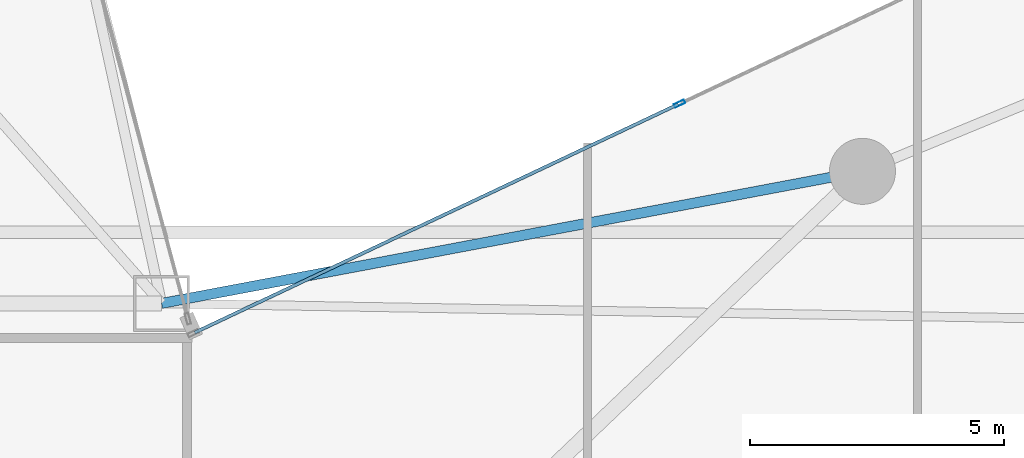
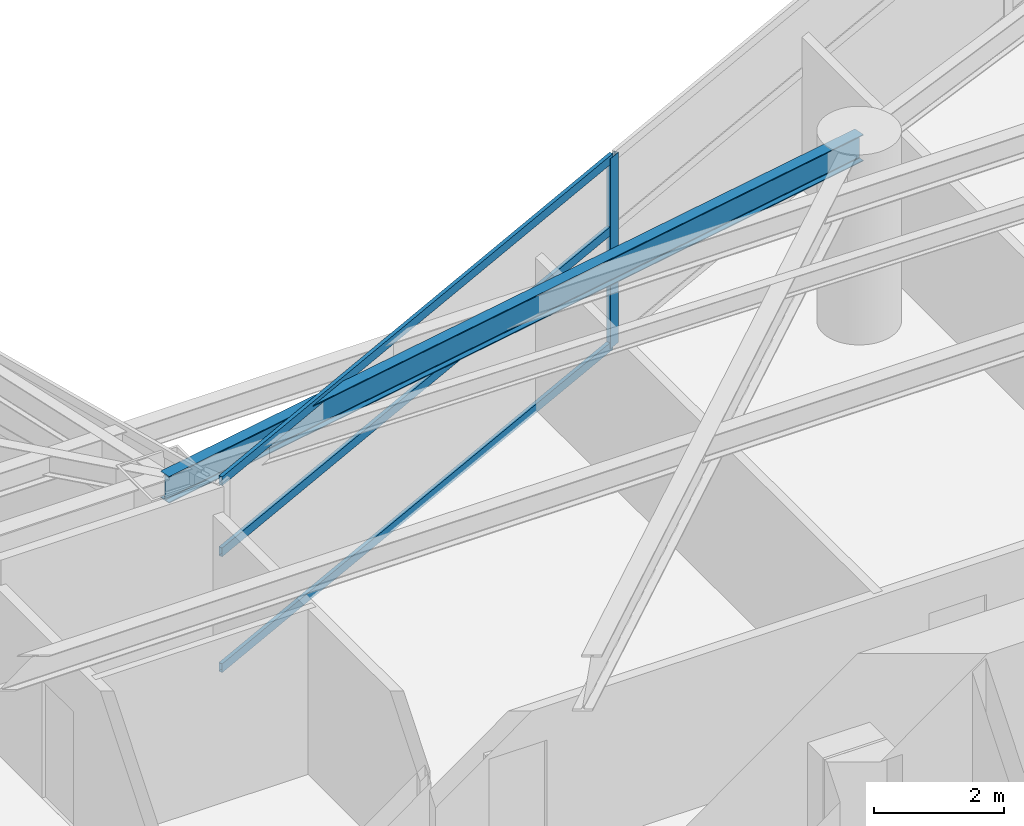
# One storey, part 11 of 29: 4 members, 1 beam, 1 element without a shape of its own.
"""IFC4 building model written with IfcOpenShell, lengths in metres."""

from ifc_helpers import new_model, si_unit, direction, frame, origin, origin_2d, place, context, subcontext, project, spatial, hollow_rectangle, i_section, extrude, material, layer, layer_set, material_profile, profile_set, type_object, element, aggregate, save


model = new_model("IFC4")

# Units and contexts
model_context = context("Model", 3, precision=1e-05, world=origin(), true_north=direction((0.0, 1.0)))
body_context = subcontext(model_context, "Body", "Model", "MODEL_VIEW")
ifc_project = project(units=[si_unit("LENGTHUNIT", "METRE"), si_unit("AREAUNIT", "SQUARE_METRE"), si_unit("VOLUMEUNIT", "CUBIC_METRE"), si_unit("PLANEANGLEUNIT", "RADIAN"), si_unit("MASSUNIT", "GRAM", prefix="KILO")], contexts=[model_context])

# Site, building, storey
site_placement = place(None, origin())
site = spatial("IfcSite", under=ifc_project, at=site_placement, CompositionType="ELEMENT")
building_placement = place(site_placement, origin())
building = spatial("IfcBuilding", under=site, at=building_placement, Name="Calvorn Quay Hotel", CompositionType="ELEMENT")
storey_placement = place(building_placement, frame((0.0, 0.0, 85.0)))
storey = spatial("IfcBuildingStorey", under=building, at=storey_placement, Name="L20", CompositionType="ELEMENT", Elevation=85.0)

# Beam
ifc_material_1 = material(Name="Steel Q355B", Category="steel")
ifc_material_profile_1 = material_profile(ifc_material_1, i_section(OverallWidth=0.199951171875, OverallDepth=0.5, WebThickness=0.010009765625, FlangeThickness=0.01611328125, FilletRadius=0.01611328125, at=origin_2d()), Name="HN500x200x10x16")
ifc_profile_set_1 = profile_set([ifc_material_profile_1], Name="Steel Q355B")
beam_type = type_object("IfcBeamType", Name="BM-SPANDREL-Z1", PredefinedType="SPANDREL", material=ifc_profile_set_1)
beam_placement = place(storey_placement, frame((34.800048828125, 27.60009765625, 3.2900390625), z_axis=(-0.982709432406, -0.185154452988, 0.0), x_axis=(0.185154452988, -0.982709432406, 0.0)))
element("IfcBeam", 1, at=beam_placement, inside=storey, type_object=beam_type, Name="Beam BSP-L20-E5", PredefinedType="SPANDREL", context=body_context, shape_type="SweptSolid", body=[
    extrude(i_section(OverallWidth=0.199951171875, OverallDepth=0.5, WebThickness=0.010009765625, FlangeThickness=0.01611328125, FilletRadius=0.01611328125, at=origin_2d()), origin(), (0.0, 0.0, 1.0), 14.04296875),
])

# Curtain wall, members
ifc_material_2 = material(Name="Pale Anodised Aluminium and Low-E Glass", Category="aluminium")
ifc_layer = layer(ifc_material_2, 0.219970703125)
ifc_layer_set = layer_set([ifc_layer], Name="CW-SYS-Z1")
curtain_wall_type = type_object("IfcCurtainWallType", Name="CW-SYS-Z1", PredefinedType="NOTDEFINED", material=ifc_layer_set)
curtain_wall_placement = place(storey_placement, origin())
curtain_wall = element("IfcCurtainWall", 2, at=curtain_wall_placement, inside=storey, type_object=curtain_wall_type, Name="Inner Court Curtain Wall L20-NE1", PredefinedType="NOTDEFINED")
ifc_material_3 = material(Name="Pale Anodised Aluminium 6063-T6", Category="aluminium")
ifc_material_profile_2 = material_profile(ifc_material_3, hollow_rectangle(XDim=0.074951171875, YDim=0.219970703125, WallThickness=0.00439453125, at=origin_2d()), Name="ALU-M220x75x4.5")
ifc_profile_set_2 = profile_set([ifc_material_profile_2], Name="Pale Anodised Aluminium 6063-T6")
member_type_1 = type_object("IfcMemberType", Name="CW-SYS-Z1-MUL", PredefinedType="MULLION", material=ifc_profile_set_2)
member_1_placement = place(storey_placement, frame((31.199951171875, 28.933349609375, 0.0), z_axis=(0.0, 0.0, 1.0), x_axis=(0.427006305415, -0.904248646743, 0.0)))
member_1 = element("IfcMember", 3, at=member_1_placement, type_object=member_type_1, Name="CW-L20-NE1 mullion 3", PredefinedType="MULLION", context=body_context, shape_type="SweptSolid", body=[
    extrude(hollow_rectangle(XDim=0.074951171875, YDim=0.219970703125, WallThickness=0.00439453125, at=origin_2d()), origin(), (0.0, 0.0, 1.0), 3.56005859375),
])
ifc_material_4 = material(Name="Pale Anodised Aluminium 6063-T6", Category="aluminium")
ifc_material_profile_3 = material_profile(ifc_material_4, hollow_rectangle(XDim=0.06494140625, YDim=0.1650390625, WallThickness=0.00341796875, at=origin_2d()), Name="ALU-T165x65x3.5")
ifc_profile_set_3 = profile_set([ifc_material_profile_3], Name="Pale Anodised Aluminium 6063-T6")
member_type_2 = type_object("IfcMemberType", Name="CW-SYS-Z1-TRN", PredefinedType="USERDEFINED", material=ifc_profile_set_3)
member_2_placement = place(storey_placement, frame((31.1728515625, 28.92041015625, 0.030029296875), z_axis=(-0.904248646746, -0.427006305408, 0.0), x_axis=(0.427006305408, -0.904248646746, 0.0)))
member_2 = element("IfcMember", 4, at=member_2_placement, type_object=member_type_2, Name="CW-L20-NE1 transom 3.1", ObjectType="TRANSOM", PredefinedType="USERDEFINED", context=body_context, shape_type="SweptSolid", body=[
    extrude(hollow_rectangle(XDim=0.06494140625, YDim=0.1650390625, WallThickness=0.00341796875, at=origin_2d()), origin(), (0.0, 0.0, 1.0), 10.5263671875),
])
member_3_placement = place(storey_placement, frame((31.1728515625, 28.92041015625, 2.199951171875), z_axis=(-0.904248646746, -0.427006305408, 0.0), x_axis=(0.427006305408, -0.904248646746, 0.0)))
member_3 = element("IfcMember", 5, at=member_3_placement, type_object=member_type_2, Name="CW-L20-NE1 transom 3.2", ObjectType="TRANSOM", PredefinedType="USERDEFINED", context=body_context, shape_type="SweptSolid", body=[
    extrude(hollow_rectangle(XDim=0.06494140625, YDim=0.1650390625, WallThickness=0.00341796875, at=origin_2d()), origin(), (0.0, 0.0, 1.0), 10.5263671875),
])
member_4_placement = place(storey_placement, frame((31.1728515625, 28.92041015625, 3.530029296875), z_axis=(-0.904248646746, -0.427006305408, 0.0), x_axis=(0.427006305408, -0.904248646746, 0.0)))
member_4 = element("IfcMember", 6, at=member_4_placement, type_object=member_type_2, Name="CW-L20-NE1 transom 3.3", ObjectType="TRANSOM", PredefinedType="USERDEFINED", context=body_context, shape_type="SweptSolid", body=[
    extrude(hollow_rectangle(XDim=0.06494140625, YDim=0.1650390625, WallThickness=0.00341796875, at=origin_2d()), origin(), (0.0, 0.0, 1.0), 10.5263671875),
])
aggregate(curtain_wall, [member_1, member_2, member_3, member_4])

save(model, "model.ifc")
